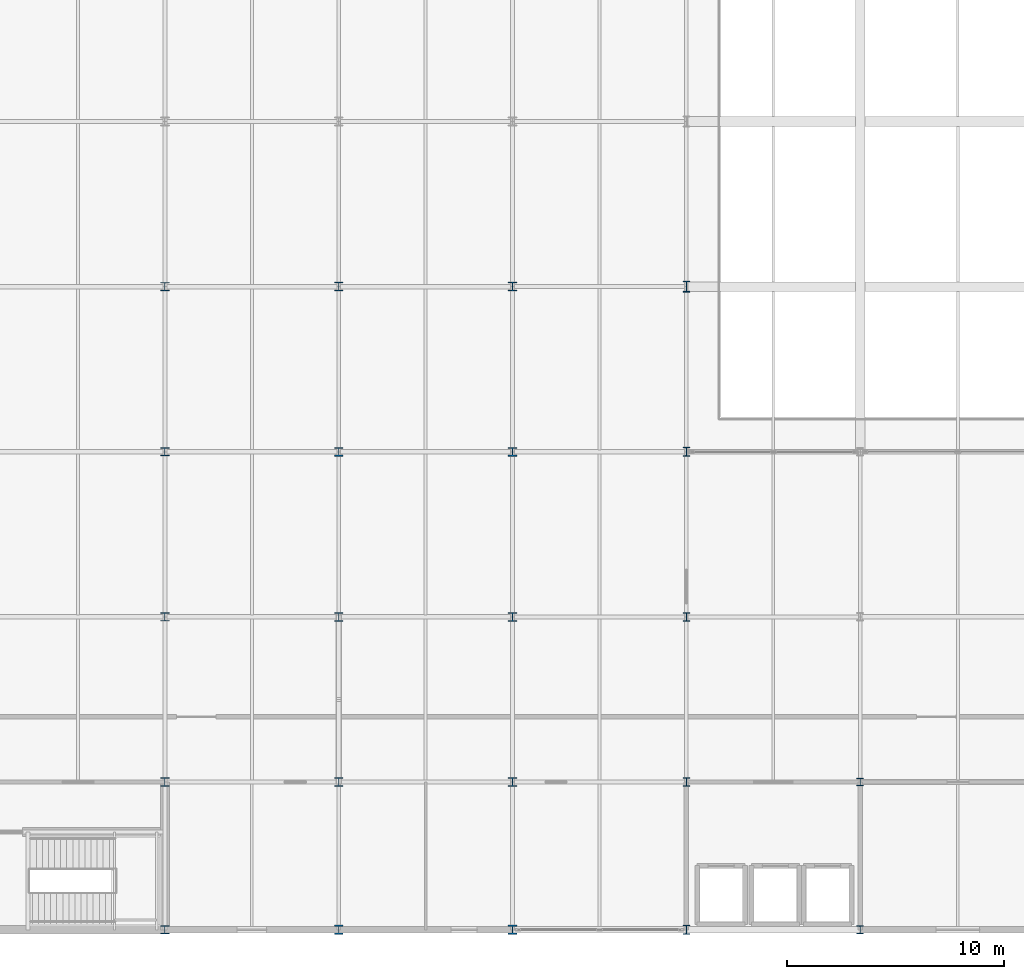
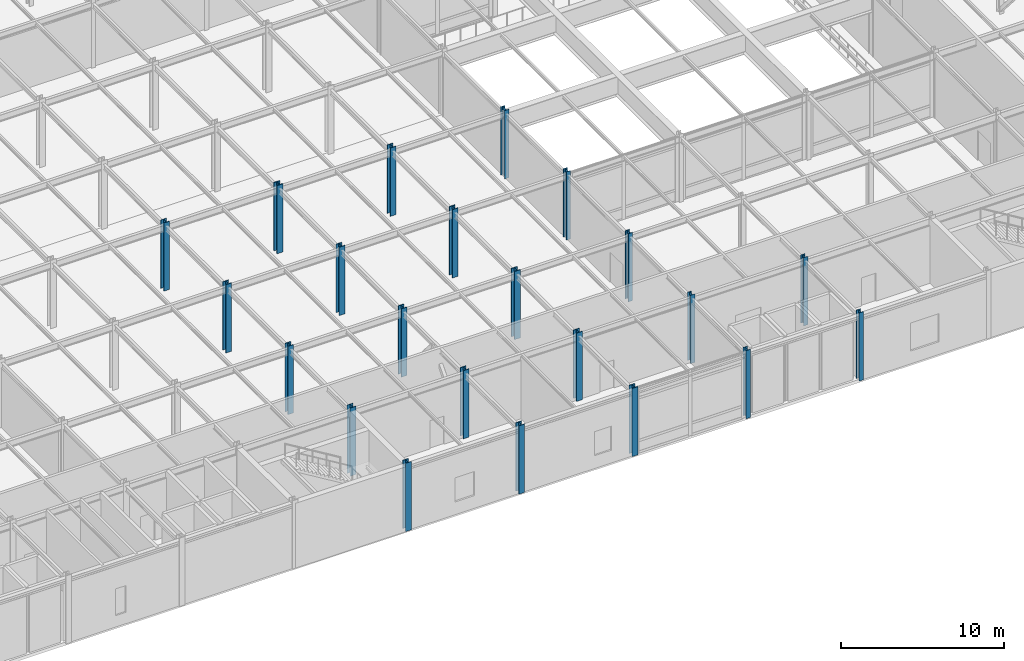
# One storey, part 5 of 79: 22 columns.
"""IFC4 building model written with IfcOpenShell, lengths in metres."""

import ifcopenshell
import ifcopenshell.guid

model = None  # the IFC model being written
_history = None  # IfcOwnerHistory: only IFC2X3 demands one
_inside = {}  # id of a spatial element -> (the spatial element, [elements in it])
_under = {}  # id of a project, library or spatial element -> (it, [spatial elements below it])
_declared = {}  # id of a project -> (the project, [libraries it declares])
_typed = {}  # id of a type object -> (the type object, [elements of that type])
_made_of = {}  # id of a material, layer set ... -> (it, [elements and type objects made of it])


def new_model(schema):
    """Start an empty IFC model of exactly this schema.

    Asked for "IFC4X3", IfcOpenShell would pick the latest addendum, in which some entities
    have other attributes; the version numbers below select the first issue.
    IFC2X3 requires an IfcOwnerHistory on every rooted entity: one is made here for all.
    """
    global model, _history
    if schema == "IFC4X3":
        model = ifcopenshell.file(schema_version=(4, 3, 0, 0))
    else:
        model = ifcopenshell.file(schema=schema)
    _inside.clear()
    _under.clear()
    _declared.clear()
    _typed.clear()
    _made_of.clear()
    _history = None
    if model.schema == "IFC2X3":
        org = make("IfcOrganization", Name="unknown")
        user = make(
            "IfcPersonAndOrganization",
            ThePerson=make("IfcPerson", FamilyName="unknown"),
            TheOrganization=org,
        )
        app = make(
            "IfcApplication",
            ApplicationDeveloper=org,
            Version="unknown",
            ApplicationFullName="unknown",
            ApplicationIdentifier="unknown",
        )
        _history = make(
            "IfcOwnerHistory",
            OwningUser=user,
            OwningApplication=app,
            ChangeAction="ADDED",
            CreationDate=0,
        )
    return model


def make(cls, **values):
    """One entity of the class cls with the attributes given. An attribute that is None is left unset."""
    return model.create_entity(
        cls, **{name: value for name, value in values.items() if value is not None}
    )


def rooted(cls, **values):
    """An entity with a GlobalId (a new one), such as an element, a storey or a relation."""
    return make(cls, GlobalId=ifcopenshell.guid.new(), OwnerHistory=_history, **values)


def si_unit(unit_type, name, prefix=None):
    """IfcSIUnit, for example si_unit("LENGTHUNIT", "METRE", prefix="MILLI")."""
    return make("IfcSIUnit", UnitType=unit_type, Prefix=prefix, Name=name)


def assignment(units):
    """IfcUnitAssignment: the units of a project."""
    return None if units is None else make("IfcUnitAssignment", Units=units)


def point(xyz):
    """IfcCartesianPoint."""
    return None if xyz is None else make("IfcCartesianPoint", Coordinates=xyz)


def direction(xyz):
    """IfcDirection."""
    return None if xyz is None else make("IfcDirection", DirectionRatios=xyz)


def frame(location, z_axis=None, x_axis=None):
    """IfcAxis2Placement3D, a coordinate frame: its origin and axes. An axis left out is left unset."""
    return make(
        "IfcAxis2Placement3D",
        Location=point(location),
        Axis=direction(z_axis),
        RefDirection=direction(x_axis),
    )


def frame_2d(location, x_axis=None):
    """IfcAxis2Placement2D, a coordinate frame in the plane: its origin and x axis."""
    return make(
        "IfcAxis2Placement2D", Location=point(location), RefDirection=direction(x_axis)
    )


def origin():
    """The frame at (0, 0, 0) with its axes left unset."""
    return frame((0.0, 0.0, 0.0))


def origin_2d():
    """The frame at (0, 0) in the plane with its x axis left unset."""
    return frame_2d((0.0, 0.0))


def place(relative_to, where):
    """IfcLocalPlacement: puts the frame where relative to a parent placement (None: the world)."""
    return make(
        "IfcLocalPlacement", PlacementRelTo=relative_to, RelativePlacement=where
    )


def context(
    kind, dimensions, precision=None, world=None, true_north=None, identifier=None
):
    """IfcGeometricRepresentationContext, for example the 3D "Model" context."""
    return make(
        "IfcGeometricRepresentationContext",
        ContextIdentifier=identifier,
        ContextType=kind,
        CoordinateSpaceDimension=dimensions,
        Precision=precision,
        WorldCoordinateSystem=world,
        TrueNorth=true_north,
    )


def subcontext(parent, identifier, kind, view, scale=None):
    """IfcGeometricRepresentationSubContext, for example "Body" below "Model"."""
    return make(
        "IfcGeometricRepresentationSubContext",
        ContextIdentifier=identifier,
        ContextType=kind,
        ParentContext=parent,
        TargetScale=scale,
        TargetView=view,
    )


def project(units=None, contexts=None):
    """IfcProject with its units and contexts."""
    return rooted(
        "IfcProject",
        Name="project",
        RepresentationContexts=contexts,
        UnitsInContext=assignment(units),
    )


def spatial(cls, under=None, at=None, **own):
    """A site, building, storey or space (cls), placed at a placement, below another one or the project."""
    s = rooted(cls, ObjectPlacement=at, **own)
    if under is not None:
        _under.setdefault(under.id(), (under, []))[1].append(s)
    return s


def profile(cls, at=None, kind="AREA", **sizes):
    """A parametric profile (cls). Its sizes go by their IFC names, for example OverallWidth=200.0."""
    return make(cls, ProfileType=kind, Position=at, **sizes)


def i_section(**sizes):
    """IfcIShapeProfileDef."""
    return profile("IfcIShapeProfileDef", **sizes)


def extrude(swept, where, along, depth):
    """IfcExtrudedAreaSolid: the profile swept, set in the frame where, extruded along a direction by depth."""
    return make(
        "IfcExtrudedAreaSolid",
        SweptArea=swept,
        Position=where,
        ExtrudedDirection=direction(along),
        Depth=depth,
    )


def shape(context_of_items, identifier, shape_type, items):
    """IfcShapeRepresentation: the items that make up one representation, for example the "Body"."""
    return make(
        "IfcShapeRepresentation",
        ContextOfItems=context_of_items,
        RepresentationIdentifier=identifier,
        RepresentationType=shape_type,
        Items=items,
    )


def material(Name=None, Category=None):
    """IfcMaterial."""
    return make("IfcMaterial", Name=Name, Category=Category)


def material_profile(
    of_material, cross_section, Name=None, Category=None, Priority=None
):
    """IfcMaterialProfile: a cross section and its material."""
    return make(
        "IfcMaterialProfile",
        Name=Name,
        Material=of_material,
        Profile=cross_section,
        Priority=Priority,
        Category=Category,
    )


def profile_set(profiles, Name=None, composite=None):
    """IfcMaterialProfileSet."""
    return make(
        "IfcMaterialProfileSet",
        Name=Name,
        MaterialProfiles=profiles,
        CompositeProfile=composite,
    )


def made_of(thing, what):
    """Note that an element or type object is made of a material, layer set ...; save() writes the relation."""
    if what is not None:
        _made_of.setdefault(what.id(), (what, []))[1].append(thing)
    return thing


def type_object(cls, material=None, **own):
    """A type object (cls), such as IfcWallType, which elements share."""
    return made_of(rooted(cls, **own), material)


def element(
    cls,
    number,
    at=None,
    inside=None,
    cuts=None,
    type_object=None,
    material=None,
    context=None,
    identifier="Body",
    shape_type=None,
    held_by="IfcProductDefinitionShape",
    body=None,
    shapes=None,
    **own,
):
    """One element of the class cls, such as IfcWall. Its Tag is "e" and its number.

    at: its placement. inside: the storey or other place that contains it. cuts: it is an
    opening in that element (IfcRelVoidsElement). A single representation is given by context,
    identifier, shape_type and body (its items); several are given by shapes. held_by: the class
    of the entity that holds the representations. save() writes the other relations.
    """
    e = rooted(cls, Tag="e%d" % number, ObjectPlacement=at, **own)
    if body is not None:
        shapes = [shape(context, identifier, shape_type, body)]
    if shapes is not None:
        e.Representation = make(held_by, Representations=shapes)
    if inside is not None:
        _inside.setdefault(inside.id(), (inside, []))[1].append(e)
    if cuts is not None:
        rooted(
            "IfcRelVoidsElement", RelatingBuildingElement=cuts, RelatedOpeningElement=e
        )
    if type_object is not None:
        _typed.setdefault(type_object.id(), (type_object, []))[1].append(e)
    return made_of(e, material)


def aggregate(whole, parts):
    """IfcRelAggregates: a whole, such as a stair, and the parts it consists of."""
    return rooted("IfcRelAggregates", RelatingObject=whole, RelatedObjects=parts)


def save(model, path):
    """Write the relations noted so far, then the file.

    IfcRelAggregates (storeys below a building ...), IfcRelContainedInSpatialStructure (elements
    in a storey), IfcRelDefinesByType, IfcRelAssociatesMaterial and IfcRelDeclares: one each for
    every whole, place, type object, material and project.
    """
    for whole, parts in _under.values():
        aggregate(whole, parts)
    for where, things in _inside.values():
        rooted(
            "IfcRelContainedInSpatialStructure",
            RelatedElements=things,
            RelatingStructure=where,
        )
    for kind, things in _typed.values():
        rooted("IfcRelDefinesByType", RelatedObjects=things, RelatingType=kind)
    for what, things in _made_of.values():
        rooted("IfcRelAssociatesMaterial", RelatedObjects=things, RelatingMaterial=what)
    for by, libraries in _declared.values():
        rooted("IfcRelDeclares", RelatingContext=by, RelatedDefinitions=libraries)
    model.write(path)


model = new_model("IFC4")

# Units and contexts
model_context = context("Model", 3, precision=1e-05, world=origin(), true_north=direction((0.0, 1.0)))
body_context = subcontext(model_context, "Body", "Model", "MODEL_VIEW")
ifc_project = project(units=[si_unit("LENGTHUNIT", "METRE"), si_unit("AREAUNIT", "SQUARE_METRE"), si_unit("VOLUMEUNIT", "CUBIC_METRE"), si_unit("PLANEANGLEUNIT", "RADIAN"), si_unit("MASSUNIT", "GRAM", prefix="KILO")], contexts=[model_context])

# Site, building, storey
site_placement = place(None, origin())
site = spatial("IfcSite", under=ifc_project, at=site_placement, CompositionType="ELEMENT")
building_placement = place(site_placement, origin())
building = spatial("IfcBuilding", under=site, at=building_placement, Name="Shalkamar Park Central Library", CompositionType="ELEMENT")
storey_placement = place(building_placement, frame((0.0, 0.0, 10.5)))
storey = spatial("IfcBuildingStorey", under=building, at=storey_placement, Name="L03", CompositionType="ELEMENT", Elevation=10.5)

# Columns
ifc_material = material(Name="Steel S355", Category="steel")
ifc_material_profile_1 = material_profile(ifc_material, i_section(OverallWidth=0.40087890625, OverallDepth=0.39892578125, WebThickness=0.02490234375, FlangeThickness=0.03955078125, FilletRadius=0.014892578125, at=origin_2d()), Name="HD 400x314")
ifc_profile_set_1 = profile_set([ifc_material_profile_1], Name="Steel S355")
column_type_1 = type_object("IfcColumnType", Name="Column Steel HD400x314", PredefinedType="COLUMN", material=ifc_profile_set_1)
for number, where, z_axis, x_axis, name in (
    (1, (205.0, 248.39990234375, 0.0), (0.0, 0.0, 1.0), (1.0, 0.0, 0.0), "Column 12/B (L03)"),
    (2, (205.0, 255.199951171875, 0.0), (0.0, 0.0, 1.0), (1.0, 0.0, 0.0), "Column 12/C (L03)"),
    (3, (205.0, 262.800048828125, 0.0), (0.0, 0.0, 1.0), (1.0, 0.0, 0.0), "Column 12/D (L03)"),
    (4, (205.0, 270.39990234375, 0.0), (0.0, 0.0, 1.0), (1.0, 0.0, 0.0), "Column 12/E (L03)"),
    (5, (205.0, 278.0, 0.0), (0.0, 0.0, 1.0), (1.0, 0.0, 0.0), "Column 12/F (L03)"),
):
    element("IfcColumn", number, at=place(storey_placement, frame(where, z_axis=z_axis, x_axis=x_axis)), inside=storey, type_object=column_type_1, Name=name, PredefinedType="COLUMN", context=body_context, shape_type="SweptSolid", body=[
        extrude(i_section(OverallWidth=0.40087890625, OverallDepth=0.39892578125, WebThickness=0.02490234375, FlangeThickness=0.03955078125, FilletRadius=0.014892578125, at=origin_2d()), origin(), (0.0, 0.0, 1.0), 5.10009765625),
    ])
ifc_material_profile_2 = material_profile(ifc_material, i_section(OverallWidth=0.406005859375, OverallDepth=0.416015625, WebThickness=0.02978515625, FlangeThickness=0.048095703125, FilletRadius=0.014892578125, at=origin_2d()), Name="HD 400x382")
ifc_profile_set_2 = profile_set([ifc_material_profile_2], Name="Steel S355")
column_type_2 = type_object("IfcColumnType", Name="Column Steel HD400x382", PredefinedType="COLUMN", material=ifc_profile_set_2)
for number, where, z_axis, x_axis, name in (
    (6, (213.0, 248.39990234375, 0.0), (0.0, 0.0, 1.0), (1.0, 0.0, 0.0), "Column 13/B (L03)"),
    (7, (213.0, 255.199951171875, 0.0), (0.0, 0.0, 1.0), (1.0, 0.0, 0.0), "Column 13/C (L03)"),
    (8, (213.0, 262.800048828125, 0.0), (0.0, 0.0, 1.0), (1.0, 0.0, 0.0), "Column 13/D (L03)"),
    (9, (213.0, 270.39990234375, 0.0), (0.0, 0.0, 1.0), (1.0, 0.0, 0.0), "Column 13/E (L03)"),
    (10, (213.0, 278.0, 0.0), (0.0, 0.0, 1.0), (1.0, 0.0, 0.0), "Column 13/F (L03)"),
    (11, (221.0, 248.39990234375, 0.0), (0.0, 0.0, 1.0), (1.0, 0.0, 0.0), "Column 14/B (L03)"),
    (12, (221.0, 255.199951171875, 0.0), (0.0, 0.0, 1.0), (1.0, 0.0, 0.0), "Column 14/C (L03)"),
    (13, (221.0, 262.800048828125, 0.0), (0.0, 0.0, 1.0), (1.0, 0.0, 0.0), "Column 14/D (L03)"),
    (14, (221.0, 270.39990234375, 0.0), (0.0, 0.0, 1.0), (1.0, 0.0, 0.0), "Column 14/E (L03)"),
    (15, (221.0, 278.0, 0.0), (0.0, 0.0, 1.0), (1.0, 0.0, 0.0), "Column 14/F (L03)"),
):
    element("IfcColumn", number, at=place(storey_placement, frame(where, z_axis=z_axis, x_axis=x_axis)), inside=storey, type_object=column_type_2, Name=name, PredefinedType="COLUMN", context=body_context, shape_type="SweptSolid", body=[
        extrude(i_section(OverallWidth=0.406005859375, OverallDepth=0.416015625, WebThickness=0.02978515625, FlangeThickness=0.048095703125, FilletRadius=0.014892578125, at=origin_2d()), origin(), (0.0, 0.0, 1.0), 5.10009765625),
    ])
ifc_material_profile_3 = material_profile(ifc_material, i_section(OverallWidth=0.300048828125, OverallDepth=0.360107421875, WebThickness=0.012451171875, FlangeThickness=0.0224609375, FilletRadius=0.027099609375, at=origin_2d()), Name="HEB 360")
ifc_profile_set_3 = profile_set([ifc_material_profile_3], Name="Steel S355")
column_type_3 = type_object("IfcColumnType", Name="Column Steel HEB360", PredefinedType="COLUMN", material=ifc_profile_set_3)
for number, where, z_axis, x_axis, name in (
    (16, (237.0, 248.39990234375, 0.0), (0.0, 0.0, 1.0), (1.0, 0.0, 0.0), "Column 16/B (L03)"),
    (17, (237.0, 255.199951171875, 0.0), (0.0, 0.0, 1.0), (1.0, 0.0, 0.0), "Column 16/C (L03)"),
):
    element("IfcColumn", number, at=place(storey_placement, frame(where, z_axis=z_axis, x_axis=x_axis)), inside=storey, type_object=column_type_3, Name=name, PredefinedType="COLUMN", context=body_context, shape_type="SweptSolid", body=[
        extrude(i_section(OverallWidth=0.300048828125, OverallDepth=0.360107421875, WebThickness=0.012451171875, FlangeThickness=0.0224609375, FilletRadius=0.027099609375, at=origin_2d()), origin(), (0.0, 0.0, 1.0), 5.10009765625),
    ])
ifc_material_profile_4 = material_profile(ifc_material, i_section(OverallWidth=0.300048828125, OverallDepth=0.39990234375, WebThickness=0.013427734375, FlangeThickness=0.02392578125, FilletRadius=0.027099609375, at=origin_2d()), Name="HEB 400")
ifc_profile_set_4 = profile_set([ifc_material_profile_4], Name="Steel S355")
column_type_4 = type_object("IfcColumnType", Name="Column Steel HEB400", PredefinedType="COLUMN", material=ifc_profile_set_4)
for number, where, z_axis, x_axis, name in (
    (18, (229.0, 248.39990234375, 0.0), (0.0, 0.0, 1.0), (1.0, 0.0, 0.0), "Column 15/B (L03)"),
    (19, (229.0, 255.199951171875, 0.0), (0.0, 0.0, 1.0), (1.0, 0.0, 0.0), "Column 15/C (L03)"),
    (20, (229.0, 262.800048828125, 0.0), (0.0, 0.0, 1.0), (1.0, 0.0, 0.0), "Column 15/D (L03)"),
    (21, (229.0, 270.39990234375, 0.0), (0.0, 0.0, 1.0), (1.0, 0.0, 0.0), "Column 15/E (L03)"),
):
    element("IfcColumn", number, at=place(storey_placement, frame(where, z_axis=z_axis, x_axis=x_axis)), inside=storey, type_object=column_type_4, Name=name, PredefinedType="COLUMN", context=body_context, shape_type="SweptSolid", body=[
        extrude(i_section(OverallWidth=0.300048828125, OverallDepth=0.39990234375, WebThickness=0.013427734375, FlangeThickness=0.02392578125, FilletRadius=0.027099609375, at=origin_2d()), origin(), (0.0, 0.0, 1.0), 5.10009765625),
    ])
ifc_material_profile_5 = material_profile(ifc_material, i_section(OverallWidth=0.300048828125, OverallDepth=0.5, WebThickness=0.014404296875, FlangeThickness=0.028076171875, FilletRadius=0.027099609375, at=origin_2d()), Name="HEB 500")
ifc_profile_set_5 = profile_set([ifc_material_profile_5], Name="Steel S355")
column_type_5 = type_object("IfcColumnType", Name="Column Steel HEB500", PredefinedType="COLUMN", material=ifc_profile_set_5)
column_placement = place(storey_placement, frame((229.0, 278.0, 0.0), z_axis=(0.0, 0.0, 1.0), x_axis=(1.0, 0.0, 0.0)))
element("IfcColumn", 22, at=column_placement, inside=storey, type_object=column_type_5, Name="Column 15/F (L03)", PredefinedType="COLUMN", context=body_context, shape_type="SweptSolid", body=[
    extrude(i_section(OverallWidth=0.300048828125, OverallDepth=0.5, WebThickness=0.014404296875, FlangeThickness=0.028076171875, FilletRadius=0.027099609375, at=origin_2d()), origin(), (0.0, 0.0, 1.0), 5.10009765625),
])

save(model, "model.ifc")
